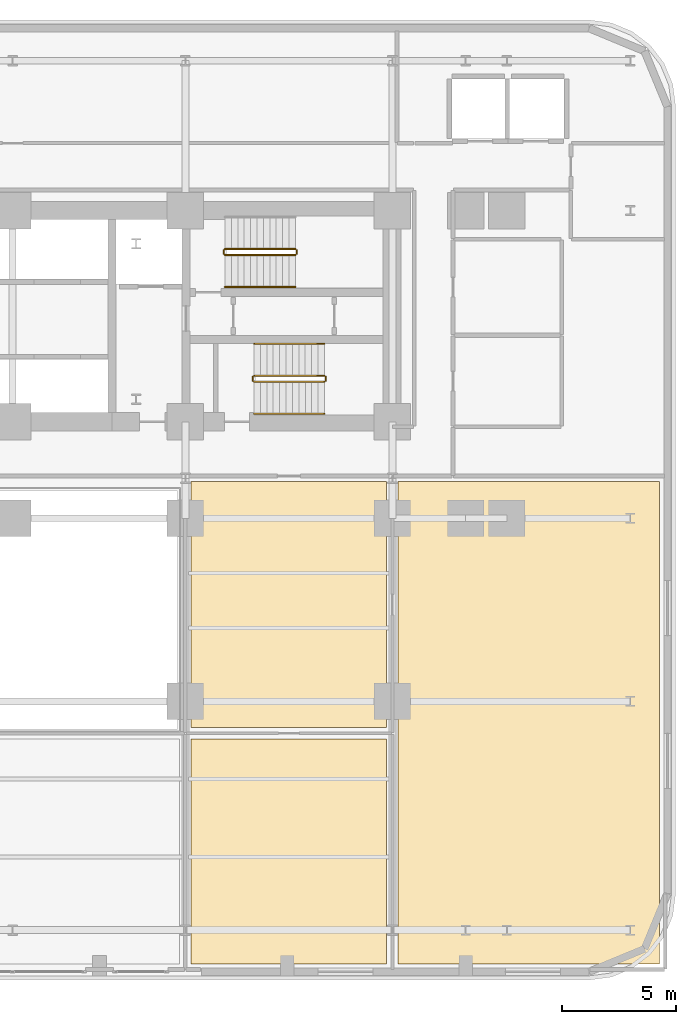
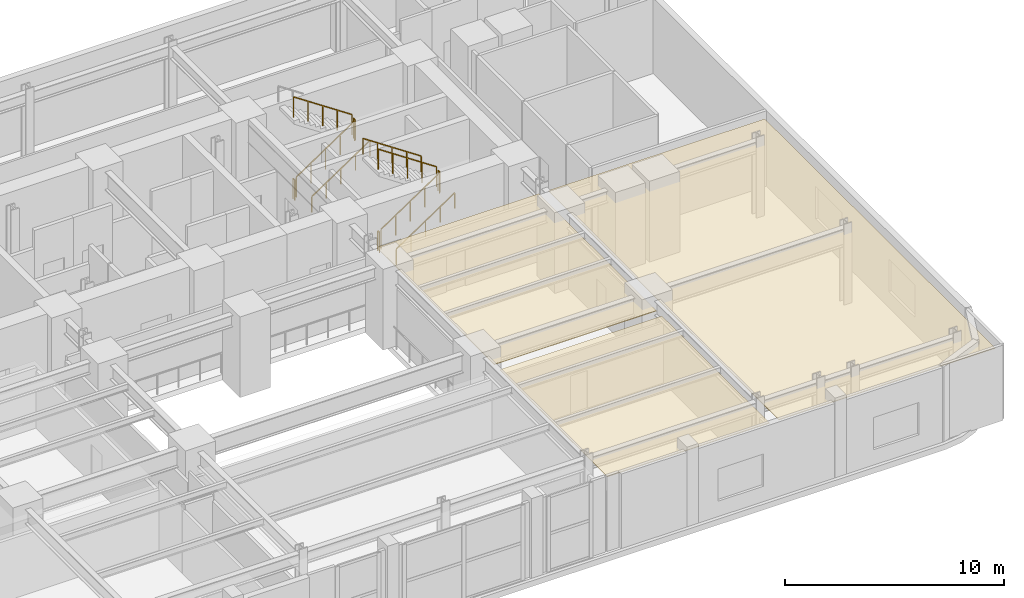
# One storey, part 12 of 14: 11 railings, 3 coverings.
"""IFC4 building model written with IfcOpenShell, lengths in metres."""

from ifc_helpers import new_model, si_unit, direction, frame, origin, origin_2d, place, context, subcontext, project, spatial, polyline, rectangle, outline, extrude, material, layer, layer_set, type_object, element, save


model = new_model("IFC4")

# Units and contexts
model_context = context("Model", 3, precision=1e-05, world=origin(), true_north=direction((0.0, 1.0)))
body_context = subcontext(model_context, "Body", "Model", "MODEL_VIEW")
ifc_project = project(units=[si_unit("LENGTHUNIT", "METRE"), si_unit("AREAUNIT", "SQUARE_METRE"), si_unit("VOLUMEUNIT", "CUBIC_METRE"), si_unit("PLANEANGLEUNIT", "RADIAN"), si_unit("MASSUNIT", "GRAM", prefix="KILO")], contexts=[model_context])

# Site, building, storey
site_placement = place(None, origin())
site = spatial("IfcSite", under=ifc_project, at=site_placement, CompositionType="ELEMENT")
building_placement = place(site_placement, origin())
building = spatial("IfcBuilding", under=site, at=building_placement, Name="Zarnavel Station Tower", CompositionType="ELEMENT")
storey_placement = place(building_placement, frame((0.0, 0.0, 14.89990234375)))
storey = spatial("IfcBuildingStorey", under=building, at=storey_placement, Name="L04", CompositionType="ELEMENT", Elevation=14.89990234375)

# Coverings
ifc_material_1 = material(Name="Perforated Gypsum and Mineral-Wool Acoustic Ceiling", Category="concrete")
ifc_layer = layer(ifc_material_1, 0.0400390625)
ifc_layer_set = layer_set([ifc_layer], Name="COV_CEIL_ACOUSTIC")
covering_type = type_object("IfcCoveringType", Name="COV_CEIL_ACOUSTIC", PredefinedType="CEILING", material=ifc_layer_set)
covering_1_placement = place(storey_placement, frame((0.0, 0.0, 3.880126953125)))
element("IfcCovering", 1, at=covering_1_placement, inside=storey, type_object=covering_type, Name="L04 REST2 Acoustic Ceiling", PredefinedType="CEILING", context=body_context, shape_type="SweptSolid", body=[
    extrude(outline(polyline([(36.60009765625, 4.1298828125), (45.14990234375, 4.1298828125), (45.14990234375, 13.949951171875), (36.60009765625, 13.949951171875), (36.60009765625, 4.1298828125)])), origin(), (0.0, 0.0, 1.0), 0.0400390625),
])
covering_2_placement = place(storey_placement, frame((0.0, 0.0, 3.880126953125)))
element("IfcCovering", 2, at=covering_2_placement, inside=storey, type_object=covering_type, Name="L04 PDR Acoustic Ceiling", PredefinedType="CEILING", context=body_context, shape_type="SweptSolid", body=[
    extrude(outline(polyline([(36.60009765625, 14.449951171875), (45.14990234375, 14.449951171875), (45.14990234375, 25.199951171875), (36.60009765625, 25.199951171875), (36.60009765625, 14.449951171875)])), origin(), (0.0, 0.0, 1.0), 0.0400390625),
])
covering_3_placement = place(storey_placement, frame((0.0, 0.0, 3.880126953125)))
element("IfcCovering", 3, at=covering_3_placement, inside=storey, type_object=covering_type, Name="L04 PDRE Acoustic Ceiling", PredefinedType="CEILING", context=body_context, shape_type="SweptSolid", body=[
    extrude(outline(polyline([(45.64990234375, 4.1298828125), (57.070068359375, 4.1298828125), (57.070068359375, 25.199951171875), (45.64990234375, 25.199951171875), (45.64990234375, 4.1298828125)])), origin(), (0.0, 0.0, 1.0), 0.0400390625),
])

# Railings
ifc_material_2 = material(Name="Painted Steel S355J2 Balustrade", Category="steel")
railing_type_1 = type_object("IfcRailingType", Name="GR_INT_1150", PredefinedType="GUARDRAIL", material=ifc_material_2)
railing_1_placement = place(storey_placement, frame((38.080078125, 35.110107421875, 0.1875)))
element("IfcRailing", 4, at=railing_1_placement, inside=storey, type_object=railing_type_1, Name="L04 ST2 stair guard 1", PredefinedType="GUARDRAIL", context=body_context, shape_type="SweptSolid", body=[
    extrude(rectangle(XDim=0.048095703125, YDim=0.048095703125, at=origin_2d()), frame((0.001708984375, 0.0, 1.126953125), z_axis=(0.830893310487, 0.0, 0.556431762742), x_axis=(0.0, 1.0, 0.0)), (0.0, 0.0, 1.0), 3.70263671875),
    extrude(rectangle(XDim=0.0419921875, YDim=0.0419921875, at=origin_2d()), origin(), (0.0, 0.0, 1.0), 1.101806640625),
    extrude(rectangle(XDim=0.0419921875, YDim=0.0419921875, at=origin_2d()), frame((0.77001953125, 0.0, 0.515625)), (0.0, 0.0, 1.0), 1.101806640625),
    extrude(rectangle(XDim=0.0419921875, YDim=0.0419921875, at=origin_2d()), frame((1.5400390625, 0.0, 1.03125)), (0.0, 0.0, 1.0), 1.101806640625),
    extrude(rectangle(XDim=0.0419921875, YDim=0.0419921875, at=origin_2d()), frame((2.309814453125, 0.0, 1.546875)), (0.0, 0.0, 1.0), 1.101806640625),
    extrude(rectangle(XDim=0.0419921875, YDim=0.0419921875, at=origin_2d()), frame((3.079833984375, 0.0, 2.0625)), (0.0, 0.0, 1.0), 1.101806640625),
])
railing_2_placement = place(storey_placement, frame((41.2099609375, 35.159912109375, 2.25)))
element("IfcRailing", 5, at=railing_2_placement, inside=storey, type_object=railing_type_1, Name="L04 ST2 stair guard 2", PredefinedType="GUARDRAIL", context=body_context, shape_type="SweptSolid", body=[
    extrude(rectangle(XDim=0.048095703125, YDim=0.048095703125, at=origin_2d()), frame((0.0, 0.001953125, 1.1259765625), z_axis=(0.0, 1.0, 0.0), x_axis=(-1.0, 0.0, 0.0)), (0.0, 0.0, 1.0), 0.15625),
    extrude(rectangle(XDim=0.0419921875, YDim=0.0419921875, at=origin_2d()), origin(), (0.0, 0.0, 1.0), 1.101806640625),
    extrude(rectangle(XDim=0.0419921875, YDim=0.0419921875, at=origin_2d()), frame((0.0, 0.16015625, 0.0)), (0.0, 0.0, 1.0), 1.101806640625),
])
railing_3_placement = place(storey_placement, frame((41.159912109375, 35.3701171875, 2.4375)))
element("IfcRailing", 6, at=railing_3_placement, inside=storey, type_object=railing_type_1, Name="L04 ST2 stair guard 3", PredefinedType="GUARDRAIL", context=body_context, shape_type="SweptSolid", body=[
    extrude(rectangle(XDim=0.048095703125, YDim=0.048095703125, at=origin_2d()), frame((-0.001708984375, 0.0, 1.126953125), z_axis=(-0.830893310487, 0.0, 0.556431762742), x_axis=(0.0, -1.0, 0.0)), (0.0, 0.0, 1.0), 3.70263671875),
    extrude(rectangle(XDim=0.0419921875, YDim=0.0419921875, at=origin_2d()), origin(), (0.0, 0.0, 1.0), 1.101806640625),
    extrude(rectangle(XDim=0.0419921875, YDim=0.0419921875, at=origin_2d()), frame((-0.77001953125, 0.0, 0.515625)), (0.0, 0.0, 1.0), 1.101806640625),
    extrude(rectangle(XDim=0.0419921875, YDim=0.0419921875, at=origin_2d()), frame((-1.5400390625, 0.0, 1.03125)), (0.0, 0.0, 1.0), 1.101806640625),
    extrude(rectangle(XDim=0.0419921875, YDim=0.0419921875, at=origin_2d()), frame((-2.309814453125, 0.0, 1.546875)), (0.0, 0.0, 1.0), 1.101806640625),
    extrude(rectangle(XDim=0.0419921875, YDim=0.0419921875, at=origin_2d()), frame((-3.079833984375, 0.0, 2.0625)), (0.0, 0.0, 1.0), 1.101806640625),
])
railing_4_placement = place(storey_placement, frame((38.030029296875, 35.159912109375, 0.0)))
element("IfcRailing", 7, at=railing_4_placement, inside=storey, type_object=railing_type_1, Name="L04 ST2 stair guard 4", PredefinedType="GUARDRAIL", context=body_context, shape_type="SweptSolid", body=[
    extrude(rectangle(XDim=0.048095703125, YDim=0.048095703125, at=origin_2d()), frame((0.0, 0.001953125, 1.1259765625), z_axis=(0.0, 1.0, 0.0), x_axis=(-1.0, 0.0, 0.0)), (0.0, 0.0, 1.0), 0.15625),
    extrude(rectangle(XDim=0.0419921875, YDim=0.0419921875, at=origin_2d()), origin(), (0.0, 0.0, 1.0), 1.101806640625),
    extrude(rectangle(XDim=0.0419921875, YDim=0.0419921875, at=origin_2d()), frame((0.0, 0.16015625, 0.0)), (0.0, 0.0, 1.0), 1.101806640625),
])
railing_5_placement = place(storey_placement, frame((39.35009765625, 29.570068359375, 0.1875)))
element("IfcRailing", 8, at=railing_5_placement, inside=storey, type_object=railing_type_1, Name="L04 ST3 stair guard 1", PredefinedType="GUARDRAIL", context=body_context, shape_type="SweptSolid", body=[
    extrude(rectangle(XDim=0.048095703125, YDim=0.048095703125, at=origin_2d()), frame((0.001708984375, 0.0, 1.126953125), z_axis=(0.830893310487, 0.0, 0.556431762742), x_axis=(0.0, 1.0, 0.0)), (0.0, 0.0, 1.0), 3.70263671875),
    extrude(rectangle(XDim=0.0419921875, YDim=0.0419921875, at=origin_2d()), origin(), (0.0, 0.0, 1.0), 1.101806640625),
    extrude(rectangle(XDim=0.0419921875, YDim=0.0419921875, at=origin_2d()), frame((0.77001953125, 0.0, 0.515625)), (0.0, 0.0, 1.0), 1.101806640625),
    extrude(rectangle(XDim=0.0419921875, YDim=0.0419921875, at=origin_2d()), frame((1.5400390625, 0.0, 1.03125)), (0.0, 0.0, 1.0), 1.101806640625),
    extrude(rectangle(XDim=0.0419921875, YDim=0.0419921875, at=origin_2d()), frame((2.309814453125, 0.0, 1.546875)), (0.0, 0.0, 1.0), 1.101806640625),
    extrude(rectangle(XDim=0.0419921875, YDim=0.0419921875, at=origin_2d()), frame((3.079833984375, 0.0, 2.0625)), (0.0, 0.0, 1.0), 1.101806640625),
])
railing_6_placement = place(storey_placement, frame((42.47998046875, 29.6201171875, 2.25)))
element("IfcRailing", 9, at=railing_6_placement, inside=storey, type_object=railing_type_1, Name="L04 ST3 stair guard 2", PredefinedType="GUARDRAIL", context=body_context, shape_type="SweptSolid", body=[
    extrude(rectangle(XDim=0.048095703125, YDim=0.048095703125, at=origin_2d()), frame((0.0, 0.001953125, 1.1259765625), z_axis=(0.0, 1.0, 0.0), x_axis=(-1.0, 0.0, 0.0)), (0.0, 0.0, 1.0), 0.156005859375),
    extrude(rectangle(XDim=0.0419921875, YDim=0.0419921875, at=origin_2d()), origin(), (0.0, 0.0, 1.0), 1.101806640625),
    extrude(rectangle(XDim=0.0419921875, YDim=0.0419921875, at=origin_2d()), frame((0.0, 0.159912109375, 0.0)), (0.0, 0.0, 1.0), 1.101806640625),
])
railing_7_placement = place(storey_placement, frame((42.429931640625, 29.830078125, 2.4375)))
element("IfcRailing", 10, at=railing_7_placement, inside=storey, type_object=railing_type_1, Name="L04 ST3 stair guard 3", PredefinedType="GUARDRAIL", context=body_context, shape_type="SweptSolid", body=[
    extrude(rectangle(XDim=0.048095703125, YDim=0.048095703125, at=origin_2d()), frame((-0.001708984375, 0.0, 1.126953125), z_axis=(-0.830893310487, 0.0, 0.556431762742), x_axis=(0.0, -1.0, 0.0)), (0.0, 0.0, 1.0), 3.70263671875),
    extrude(rectangle(XDim=0.0419921875, YDim=0.0419921875, at=origin_2d()), origin(), (0.0, 0.0, 1.0), 1.101806640625),
    extrude(rectangle(XDim=0.0419921875, YDim=0.0419921875, at=origin_2d()), frame((-0.77001953125, 0.0, 0.515625)), (0.0, 0.0, 1.0), 1.101806640625),
    extrude(rectangle(XDim=0.0419921875, YDim=0.0419921875, at=origin_2d()), frame((-1.5400390625, 0.0, 1.03125)), (0.0, 0.0, 1.0), 1.101806640625),
    extrude(rectangle(XDim=0.0419921875, YDim=0.0419921875, at=origin_2d()), frame((-2.309814453125, 0.0, 1.546875)), (0.0, 0.0, 1.0), 1.101806640625),
    extrude(rectangle(XDim=0.0419921875, YDim=0.0419921875, at=origin_2d()), frame((-3.079833984375, 0.0, 2.0625)), (0.0, 0.0, 1.0), 1.101806640625),
])
railing_8_placement = place(storey_placement, frame((39.300048828125, 29.6201171875, 0.0)))
element("IfcRailing", 11, at=railing_8_placement, inside=storey, type_object=railing_type_1, Name="L04 ST3 stair guard 4", PredefinedType="GUARDRAIL", context=body_context, shape_type="SweptSolid", body=[
    extrude(rectangle(XDim=0.048095703125, YDim=0.048095703125, at=origin_2d()), frame((0.0, 0.001953125, 1.1259765625), z_axis=(0.0, 1.0, 0.0), x_axis=(-1.0, 0.0, 0.0)), (0.0, 0.0, 1.0), 0.156005859375),
    extrude(rectangle(XDim=0.0419921875, YDim=0.0419921875, at=origin_2d()), origin(), (0.0, 0.0, 1.0), 1.101806640625),
    extrude(rectangle(XDim=0.0419921875, YDim=0.0419921875, at=origin_2d()), frame((0.0, 0.159912109375, 0.0)), (0.0, 0.0, 1.0), 1.101806640625),
])
ifc_material_3 = material(Name="Brushed Stainless Steel S355J2 Handrail", Category="steel")
railing_type_2 = type_object("IfcRailingType", Name="HR_STAIR_900", PredefinedType="HANDRAIL", material=ifc_material_3)
for number, where, name in (
    (12, (38.080078125, 33.7099609375, 0.1875), "L04 ST2 stair handrail 1"),
    (13, (39.35009765625, 28.169921875, 0.1875), "L04 ST3 stair handrail 1"),
):
    element("IfcRailing", number, at=place(storey_placement, frame(where)), inside=storey, type_object=railing_type_2, Name=name, PredefinedType="HANDRAIL", context=body_context, shape_type="SweptSolid", body=[
        extrude(rectangle(XDim=0.048095703125, YDim=0.048095703125, at=origin_2d()), frame((0.001708984375, 0.0, 0.876953125), z_axis=(0.830893310487, 0.0, 0.556431762742), x_axis=(0.0, 1.0, 0.0)), (0.0, 0.0, 1.0), 3.70263671875),
        extrude(rectangle(XDim=0.0419921875, YDim=0.0419921875, at=origin_2d()), origin(), (0.0, 0.0, 1.0), 0.851806640625),
        extrude(rectangle(XDim=0.0419921875, YDim=0.0419921875, at=origin_2d()), frame((0.77001953125, 0.0, 0.515625)), (0.0, 0.0, 1.0), 0.851806640625),
        extrude(rectangle(XDim=0.0419921875, YDim=0.0419921875, at=origin_2d()), frame((1.5400390625, 0.0, 1.03125)), (0.0, 0.0, 1.0), 0.851806640625),
        extrude(rectangle(XDim=0.0419921875, YDim=0.0419921875, at=origin_2d()), frame((2.309814453125, 0.0, 1.546875)), (0.0, 0.0, 1.0), 0.851806640625),
        extrude(rectangle(XDim=0.0419921875, YDim=0.0419921875, at=origin_2d()), frame((3.079833984375, 0.0, 2.0625)), (0.0, 0.0, 1.0), 0.851806640625),
    ])
railing_9_placement = place(storey_placement, frame((42.429931640625, 31.22998046875, 2.4375)))
element("IfcRailing", 14, at=railing_9_placement, inside=storey, type_object=railing_type_2, Name="L04 ST3 stair handrail 2", PredefinedType="HANDRAIL", context=body_context, shape_type="SweptSolid", body=[
    extrude(rectangle(XDim=0.048095703125, YDim=0.048095703125, at=origin_2d()), frame((-0.001708984375, 0.0, 0.876953125), z_axis=(-0.830893310487, 0.0, 0.556431762742), x_axis=(0.0, -1.0, 0.0)), (0.0, 0.0, 1.0), 3.70263671875),
    extrude(rectangle(XDim=0.0419921875, YDim=0.0419921875, at=origin_2d()), origin(), (0.0, 0.0, 1.0), 0.851806640625),
    extrude(rectangle(XDim=0.0419921875, YDim=0.0419921875, at=origin_2d()), frame((-0.77001953125, 0.0, 0.515625)), (0.0, 0.0, 1.0), 0.851806640625),
    extrude(rectangle(XDim=0.0419921875, YDim=0.0419921875, at=origin_2d()), frame((-1.5400390625, 0.0, 1.03125)), (0.0, 0.0, 1.0), 0.851806640625),
    extrude(rectangle(XDim=0.0419921875, YDim=0.0419921875, at=origin_2d()), frame((-2.309814453125, 0.0, 1.546875)), (0.0, 0.0, 1.0), 0.851806640625),
    extrude(rectangle(XDim=0.0419921875, YDim=0.0419921875, at=origin_2d()), frame((-3.079833984375, 0.0, 2.0625)), (0.0, 0.0, 1.0), 0.851806640625),
])

save(model, "model.ifc")
